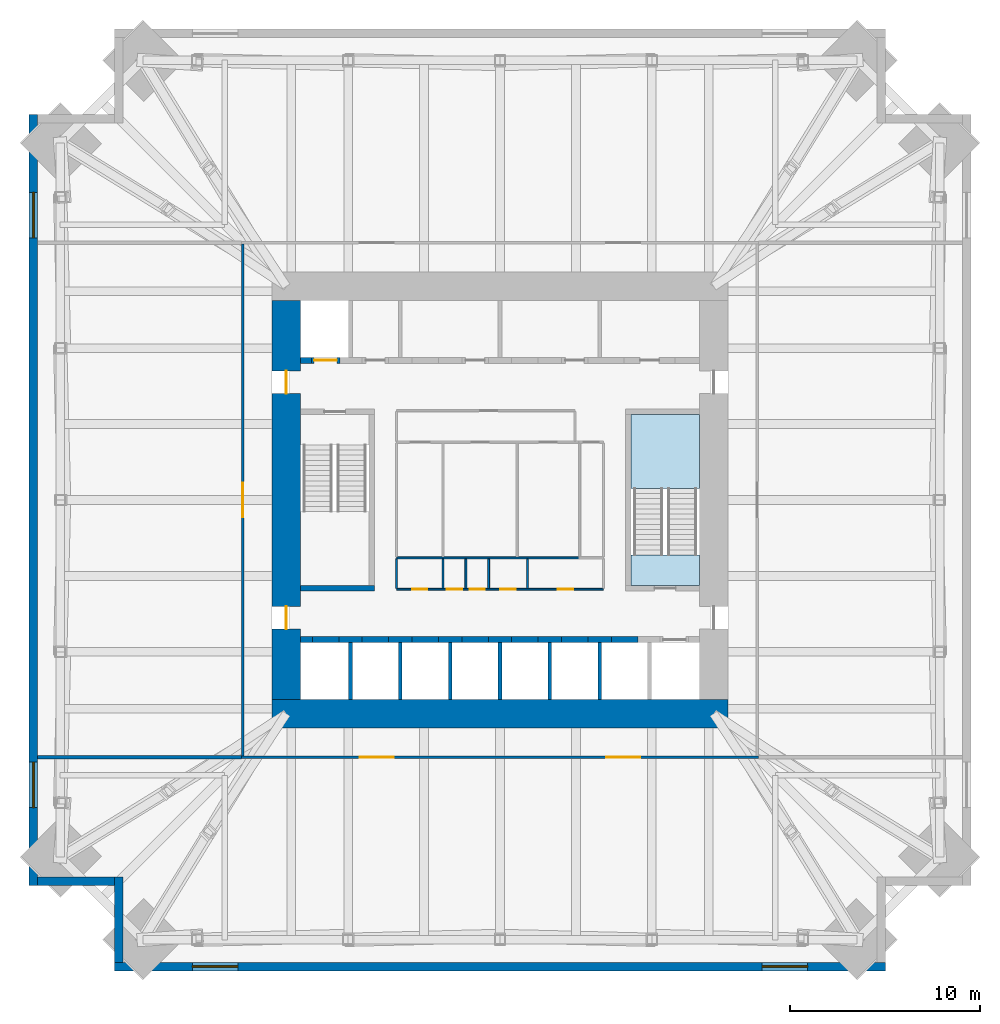
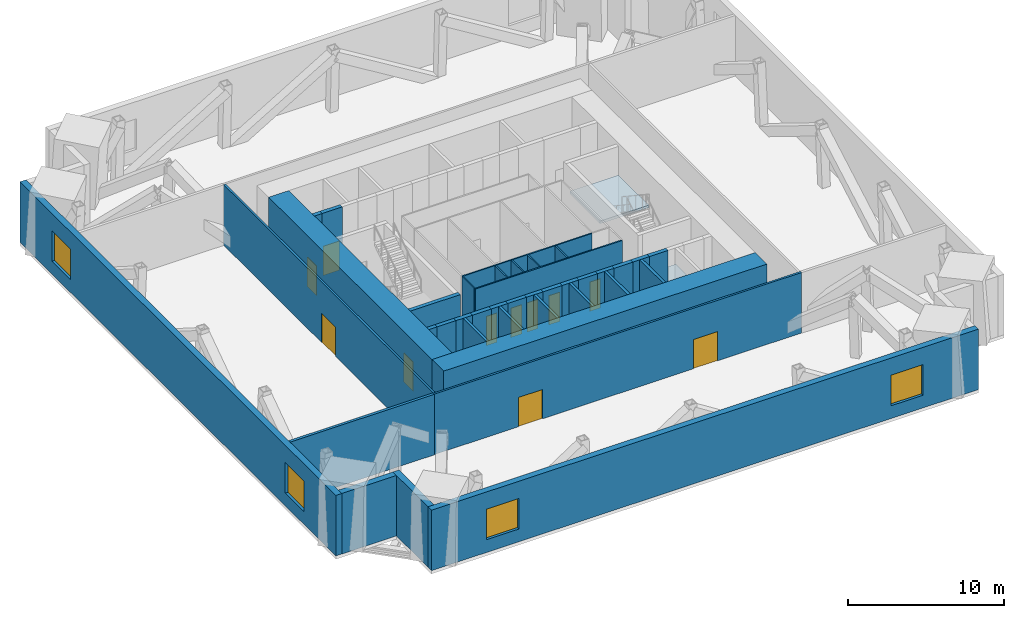
# One storey, part 3 of 6: 39 walls, 11 doors, 4 windows, 2 slabs, 15 openings, 1 element without a shape of its own.
"""IFC4 building model written with IfcOpenShell, lengths in metres."""

import ifcopenshell
import ifcopenshell.guid

model = None  # the IFC model being written
_history = None  # IfcOwnerHistory: only IFC2X3 demands one
_inside = {}  # id of a spatial element -> (the spatial element, [elements in it])
_under = {}  # id of a project, library or spatial element -> (it, [spatial elements below it])
_declared = {}  # id of a project -> (the project, [libraries it declares])
_typed = {}  # id of a type object -> (the type object, [elements of that type])
_made_of = {}  # id of a material, layer set ... -> (it, [elements and type objects made of it])


def new_model(schema):
    """Start an empty IFC model of exactly this schema.

    Asked for "IFC4X3", IfcOpenShell would pick the latest addendum, in which some entities
    have other attributes; the version numbers below select the first issue.
    IFC2X3 requires an IfcOwnerHistory on every rooted entity: one is made here for all.
    """
    global model, _history
    if schema == "IFC4X3":
        model = ifcopenshell.file(schema_version=(4, 3, 0, 0))
    else:
        model = ifcopenshell.file(schema=schema)
    _inside.clear()
    _under.clear()
    _declared.clear()
    _typed.clear()
    _made_of.clear()
    _history = None
    if model.schema == "IFC2X3":
        org = make("IfcOrganization", Name="unknown")
        user = make(
            "IfcPersonAndOrganization",
            ThePerson=make("IfcPerson", FamilyName="unknown"),
            TheOrganization=org,
        )
        app = make(
            "IfcApplication",
            ApplicationDeveloper=org,
            Version="unknown",
            ApplicationFullName="unknown",
            ApplicationIdentifier="unknown",
        )
        _history = make(
            "IfcOwnerHistory",
            OwningUser=user,
            OwningApplication=app,
            ChangeAction="ADDED",
            CreationDate=0,
        )
    return model


def make(cls, **values):
    """One entity of the class cls with the attributes given. An attribute that is None is left unset."""
    return model.create_entity(
        cls, **{name: value for name, value in values.items() if value is not None}
    )


def rooted(cls, **values):
    """An entity with a GlobalId (a new one), such as an element, a storey or a relation."""
    return make(cls, GlobalId=ifcopenshell.guid.new(), OwnerHistory=_history, **values)


def si_unit(unit_type, name, prefix=None):
    """IfcSIUnit, for example si_unit("LENGTHUNIT", "METRE", prefix="MILLI")."""
    return make("IfcSIUnit", UnitType=unit_type, Prefix=prefix, Name=name)


def assignment(units):
    """IfcUnitAssignment: the units of a project."""
    return None if units is None else make("IfcUnitAssignment", Units=units)


def point(xyz):
    """IfcCartesianPoint."""
    return None if xyz is None else make("IfcCartesianPoint", Coordinates=xyz)


def direction(xyz):
    """IfcDirection."""
    return None if xyz is None else make("IfcDirection", DirectionRatios=xyz)


def frame(location, z_axis=None, x_axis=None):
    """IfcAxis2Placement3D, a coordinate frame: its origin and axes. An axis left out is left unset."""
    return make(
        "IfcAxis2Placement3D",
        Location=point(location),
        Axis=direction(z_axis),
        RefDirection=direction(x_axis),
    )


def frame_2d(location, x_axis=None):
    """IfcAxis2Placement2D, a coordinate frame in the plane: its origin and x axis."""
    return make(
        "IfcAxis2Placement2D", Location=point(location), RefDirection=direction(x_axis)
    )


def origin():
    """The frame at (0, 0, 0) with its axes left unset."""
    return frame((0.0, 0.0, 0.0))


def place(relative_to, where):
    """IfcLocalPlacement: puts the frame where relative to a parent placement (None: the world)."""
    return make(
        "IfcLocalPlacement", PlacementRelTo=relative_to, RelativePlacement=where
    )


def context(
    kind, dimensions, precision=None, world=None, true_north=None, identifier=None
):
    """IfcGeometricRepresentationContext, for example the 3D "Model" context."""
    return make(
        "IfcGeometricRepresentationContext",
        ContextIdentifier=identifier,
        ContextType=kind,
        CoordinateSpaceDimension=dimensions,
        Precision=precision,
        WorldCoordinateSystem=world,
        TrueNorth=true_north,
    )


def subcontext(parent, identifier, kind, view, scale=None):
    """IfcGeometricRepresentationSubContext, for example "Body" below "Model"."""
    return make(
        "IfcGeometricRepresentationSubContext",
        ContextIdentifier=identifier,
        ContextType=kind,
        ParentContext=parent,
        TargetScale=scale,
        TargetView=view,
    )


def project(units=None, contexts=None):
    """IfcProject with its units and contexts."""
    return rooted(
        "IfcProject",
        Name="project",
        RepresentationContexts=contexts,
        UnitsInContext=assignment(units),
    )


def spatial(cls, under=None, at=None, **own):
    """A site, building, storey or space (cls), placed at a placement, below another one or the project."""
    s = rooted(cls, ObjectPlacement=at, **own)
    if under is not None:
        _under.setdefault(under.id(), (under, []))[1].append(s)
    return s


def polyline(points):
    """IfcPolyline through the points."""
    return make("IfcPolyline", Points=[point(p) for p in points])


def profile(cls, at=None, kind="AREA", **sizes):
    """A parametric profile (cls). Its sizes go by their IFC names, for example OverallWidth=200.0."""
    return make(cls, ProfileType=kind, Position=at, **sizes)


def rectangle(**sizes):
    """IfcRectangleProfileDef."""
    return profile("IfcRectangleProfileDef", **sizes)


def outline(outer, holes=None, kind="AREA"):
    """IfcArbitraryClosedProfileDef: a profile drawn as a closed curve; with holes, ...WithVoids."""
    if holes is None:
        return make("IfcArbitraryClosedProfileDef", ProfileType=kind, OuterCurve=outer)
    return make(
        "IfcArbitraryProfileDefWithVoids",
        ProfileType=kind,
        OuterCurve=outer,
        InnerCurves=holes,
    )


def extrude(swept, where, along, depth):
    """IfcExtrudedAreaSolid: the profile swept, set in the frame where, extruded along a direction by depth."""
    return make(
        "IfcExtrudedAreaSolid",
        SweptArea=swept,
        Position=where,
        ExtrudedDirection=direction(along),
        Depth=depth,
    )


def shape(context_of_items, identifier, shape_type, items):
    """IfcShapeRepresentation: the items that make up one representation, for example the "Body"."""
    return make(
        "IfcShapeRepresentation",
        ContextOfItems=context_of_items,
        RepresentationIdentifier=identifier,
        RepresentationType=shape_type,
        Items=items,
    )


def material(Name=None, Category=None):
    """IfcMaterial."""
    return make("IfcMaterial", Name=Name, Category=Category)


def layer(
    of_material, thickness, ventilated=None, Name=None, Category=None, Priority=None
):
    """IfcMaterialLayer: one layer of a wall or slab, of a material (None: an air gap)."""
    return make(
        "IfcMaterialLayer",
        Material=of_material,
        LayerThickness=thickness,
        IsVentilated=ventilated,
        Name=Name,
        Category=Category,
        Priority=Priority,
    )


def layer_set(layers, Name=None):
    """IfcMaterialLayerSet."""
    return make("IfcMaterialLayerSet", MaterialLayers=layers, LayerSetName=Name)


def made_of(thing, what):
    """Note that an element or type object is made of a material, layer set ...; save() writes the relation."""
    if what is not None:
        _made_of.setdefault(what.id(), (what, []))[1].append(thing)
    return thing


def type_object(cls, material=None, **own):
    """A type object (cls), such as IfcWallType, which elements share."""
    return made_of(rooted(cls, **own), material)


def element(
    cls,
    number,
    at=None,
    inside=None,
    cuts=None,
    type_object=None,
    material=None,
    context=None,
    identifier="Body",
    shape_type=None,
    held_by="IfcProductDefinitionShape",
    body=None,
    shapes=None,
    **own,
):
    """One element of the class cls, such as IfcWall. Its Tag is "e" and its number.

    at: its placement. inside: the storey or other place that contains it. cuts: it is an
    opening in that element (IfcRelVoidsElement). A single representation is given by context,
    identifier, shape_type and body (its items); several are given by shapes. held_by: the class
    of the entity that holds the representations. save() writes the other relations.
    """
    e = rooted(cls, Tag="e%d" % number, ObjectPlacement=at, **own)
    if body is not None:
        shapes = [shape(context, identifier, shape_type, body)]
    if shapes is not None:
        e.Representation = make(held_by, Representations=shapes)
    if inside is not None:
        _inside.setdefault(inside.id(), (inside, []))[1].append(e)
    if cuts is not None:
        rooted(
            "IfcRelVoidsElement", RelatingBuildingElement=cuts, RelatedOpeningElement=e
        )
    if type_object is not None:
        _typed.setdefault(type_object.id(), (type_object, []))[1].append(e)
    return made_of(e, material)


def fill(opening, filler):
    """IfcRelFillsElement: the door or window that sits in an opening."""
    return rooted(
        "IfcRelFillsElement",
        RelatingOpeningElement=opening,
        RelatedBuildingElement=filler,
    )


def aggregate(whole, parts):
    """IfcRelAggregates: a whole, such as a stair, and the parts it consists of."""
    return rooted("IfcRelAggregates", RelatingObject=whole, RelatedObjects=parts)


def save(model, path):
    """Write the relations noted so far, then the file.

    IfcRelAggregates (storeys below a building ...), IfcRelContainedInSpatialStructure (elements
    in a storey), IfcRelDefinesByType, IfcRelAssociatesMaterial and IfcRelDeclares: one each for
    every whole, place, type object, material and project.
    """
    for whole, parts in _under.values():
        aggregate(whole, parts)
    for where, things in _inside.values():
        rooted(
            "IfcRelContainedInSpatialStructure",
            RelatedElements=things,
            RelatingStructure=where,
        )
    for kind, things in _typed.values():
        rooted("IfcRelDefinesByType", RelatedObjects=things, RelatingType=kind)
    for what, things in _made_of.values():
        rooted("IfcRelAssociatesMaterial", RelatedObjects=things, RelatingMaterial=what)
    for by, libraries in _declared.values():
        rooted("IfcRelDeclares", RelatingContext=by, RelatedDefinitions=libraries)
    model.write(path)


model = new_model("IFC4")

# Units and contexts
model_context = context("Model", 3, precision=1e-05, world=origin(), true_north=direction((0.0, 1.0)))
body_context = subcontext(model_context, "Body", "Model", "MODEL_VIEW")
ifc_project = project(units=[si_unit("LENGTHUNIT", "METRE"), si_unit("AREAUNIT", "SQUARE_METRE"), si_unit("VOLUMEUNIT", "CUBIC_METRE"), si_unit("PLANEANGLEUNIT", "RADIAN"), si_unit("MASSUNIT", "GRAM", prefix="KILO")], contexts=[model_context])

# Site, building, storey
site_placement = place(None, origin())
site = spatial("IfcSite", under=ifc_project, at=site_placement, CompositionType="ELEMENT")
building_placement = place(site_placement, origin())
building = spatial("IfcBuilding", under=site, at=building_placement, Name="Peilmerk Tower", CompositionType="ELEMENT")
storey_placement = place(building_placement, frame((0.0, 0.0, 191.800048828125)))
storey = spatial("IfcBuildingStorey", under=building, at=storey_placement, Name="L41", CompositionType="ELEMENT", Elevation=191.800048828125)

# Stair, slabs
ifc_material_1 = material(Name="Precast concrete C45/55", Category="concrete")
stair_type = type_object("IfcStairType", Name="ST2 28 risers of 178.6", PredefinedType="HALF_TURN_STAIR", material=ifc_material_1)
stair_placement = place(storey_placement, origin())
stair = element("IfcStair", 1, at=stair_placement, inside=storey, type_object=stair_type, Name="Stair 2 L41 to L42", PredefinedType="HALF_TURN_STAIR")
ifc_material_2 = material(Name="Concrete C35/45", Category="concrete")
ifc_layer_1 = layer(ifc_material_2, 0.199951171875)
ifc_layer_set_1 = layer_set([ifc_layer_1], Name="Concrete C35/45")
slab_type_1 = type_object("IfcSlabType", Name="SL1 200 concrete stair landing", PredefinedType="LANDING", material=ifc_layer_set_1)
slab_1_placement = place(storey_placement, frame((0.0, 0.0, 2.300048828125)))
slab_1 = element("IfcSlab", 2, at=slab_1_placement, type_object=slab_type_1, Name="ST2 landing 1", PredefinedType="LANDING", context=body_context, shape_type="SweptSolid", body=[
    extrude(outline(polyline([(6.89990234375, 0.610107421875), (10.5, 0.610107421875), (10.5, 4.5), (6.89990234375, 4.5), (6.89990234375, 0.610107421875)])), origin(), (0.0, 0.0, 1.0), 0.199951171875),
])
ifc_layer_2 = layer(ifc_material_2, 0.25)
ifc_layer_set_2 = layer_set([ifc_layer_2], Name="Concrete C35/45")
slab_type_2 = type_object("IfcSlabType", Name="SL2 250 concrete floor landing", PredefinedType="LANDING", material=ifc_layer_set_2)
slab_2_placement = place(storey_placement, frame((0.0, 0.0, -0.25)))
slab_2 = element("IfcSlab", 3, at=slab_2_placement, type_object=slab_type_2, Name="ST2 floor landing", PredefinedType="LANDING", context=body_context, shape_type="SweptSolid", body=[
    extrude(outline(polyline([(6.89990234375, -4.5), (10.5, -4.5), (10.5, -2.89990234375), (6.89990234375, -2.89990234375), (6.89990234375, -4.5)])), origin(), (0.0, 0.0, 1.0), 0.25),
])
aggregate(stair, [slab_1, slab_2])

# Wall, openings, windows
ifc_material_3 = material(Name="Precast concrete C45/55, board-marked finish", Category="concrete")
ifc_layer_3 = layer(ifc_material_3, 0.449951171875)
ifc_layer_set_3 = layer_set([ifc_layer_3], Name="Precast concrete C45/55, board-marked finish")
wall_type_1 = type_object("IfcWallType", Name="EW1 450 precast concrete facade wall, board-marked", PredefinedType="SOLIDWALL", material=ifc_layer_set_3)
wall_1_placement = place(storey_placement, frame((-20.300048828125, -24.574951171875, 0.0), z_axis=(0.0, 0.0, 1.0), x_axis=(1.0, 0.0, 0.0)))
wall_1 = element("IfcWall", 4, at=wall_1_placement, inside=storey, type_object=wall_type_1, Name="Facade wall S L41", PredefinedType="SOLIDWALL", context=body_context, shape_type="SweptSolid", body=[
    extrude(rectangle(XDim=40.60009765625, YDim=0.449951171875, at=frame_2d((20.300048828125, 0.0))), origin(), (0.0, 0.0, 1.0), 4.75),
])
opening_1_placement = place(wall_1_placement, frame((4.10009765625, 0.0, 1.0)))
opening_1 = element("IfcOpeningElement", 5, at=opening_1_placement, cuts=wall_1, Name="Opening W5", PredefinedType="OPENING", context=body_context, shape_type="SweptSolid", body=[
    extrude(rectangle(XDim=2.39990234375, YDim=2.39990234375, at=frame_2d((1.199951171875, 1.199951171875))), frame((0.0, 0.23486328125, 0.0), z_axis=(0.0, -1.0, 0.0), x_axis=(1.0, 0.0, 0.0)), (0.0, 0.0, 1.0), 0.469970703125),
])
opening_2_placement = place(wall_1_placement, frame((34.10009765625, 0.0, 1.0)))
opening_2 = element("IfcOpeningElement", 6, at=opening_2_placement, cuts=wall_1, Name="Opening W5", PredefinedType="OPENING", context=body_context, shape_type="SweptSolid", body=[
    extrude(rectangle(XDim=2.39990234375, YDim=2.39990234375, at=frame_2d((1.199951171875, 1.199951171875))), frame((0.0, 0.23486328125, 0.0), z_axis=(0.0, -1.0, 0.0), x_axis=(1.0, 0.0, 0.0)), (0.0, 0.0, 1.0), 0.469970703125),
])
ifc_material_4 = material(Name="Aluminium frame, clear double glazing", Category="aluminium")
window_type = type_object("IfcWindowType", Name="W5 2400x2400 plant louvre", PartitioningType="SINGLE_PANEL", PredefinedType="WINDOW", material=ifc_material_4)
window_1_placement = place(opening_1_placement, origin())
window_1 = element("IfcWindow", 7, at=window_1_placement, inside=storey, type_object=window_type, Name="Window W5 L41", OverallHeight=2.39990234375, OverallWidth=2.39990234375, PartitioningType="SINGLE_PANEL", PredefinedType="WINDOW", context=body_context, shape_type="SweptSolid", body=[
    extrude(rectangle(XDim=2.39990234375, YDim=2.39990234375, at=frame_2d((1.199951171875, 1.199951171875))), frame((0.0, 0.030029296875, 0.0), z_axis=(0.0, -1.0, 0.0), x_axis=(1.0, 0.0, 0.0)), (0.0, 0.0, 1.0), 0.06005859375),
])
fill(opening_1, window_1)
window_2_placement = place(opening_2_placement, origin())
window_2 = element("IfcWindow", 8, at=window_2_placement, inside=storey, type_object=window_type, Name="Window W5 L41", OverallHeight=2.39990234375, OverallWidth=2.39990234375, PartitioningType="SINGLE_PANEL", PredefinedType="WINDOW", context=body_context, shape_type="SweptSolid", body=[
    extrude(rectangle(XDim=2.39990234375, YDim=2.39990234375, at=frame_2d((1.199951171875, 1.199951171875))), frame((0.0, 0.030029296875, 0.0), z_axis=(0.0, -1.0, 0.0), x_axis=(1.0, 0.0, 0.0)), (0.0, 0.0, 1.0), 0.06005859375),
])
fill(opening_2, window_2)

wall_2_placement = place(storey_placement, frame((-24.574951171875, 20.300048828125, 0.0), z_axis=(0.0, 0.0, 1.0), x_axis=(0.0, -1.0, 0.0)))
wall_2 = element("IfcWall", 9, at=wall_2_placement, inside=storey, type_object=wall_type_1, Name="Facade wall W L41", PredefinedType="SOLIDWALL", context=body_context, shape_type="SweptSolid", body=[
    extrude(rectangle(XDim=40.60009765625, YDim=0.449951171875, at=frame_2d((20.300048828125, 0.0))), origin(), (0.0, 0.0, 1.0), 4.75),
])
opening_3_placement = place(wall_2_placement, frame((4.10009765625, 0.0, 1.0)))
opening_3 = element("IfcOpeningElement", 10, at=opening_3_placement, cuts=wall_2, Name="Opening W5", PredefinedType="OPENING", context=body_context, shape_type="SweptSolid", body=[
    extrude(rectangle(XDim=2.39990234375, YDim=2.39990234375, at=frame_2d((1.199951171875, 1.199951171875))), frame((0.0, 0.23486328125, 0.0), z_axis=(0.0, -1.0, 0.0), x_axis=(1.0, 0.0, 0.0)), (0.0, 0.0, 1.0), 0.469970703125),
])
opening_4_placement = place(wall_2_placement, frame((34.10009765625, 0.0, 1.0)))
opening_4 = element("IfcOpeningElement", 11, at=opening_4_placement, cuts=wall_2, Name="Opening W5", PredefinedType="OPENING", context=body_context, shape_type="SweptSolid", body=[
    extrude(rectangle(XDim=2.39990234375, YDim=2.39990234375, at=frame_2d((1.199951171875, 1.199951171875))), frame((0.0, 0.23486328125, 0.0), z_axis=(0.0, -1.0, 0.0), x_axis=(1.0, 0.0, 0.0)), (0.0, 0.0, 1.0), 0.469970703125),
])
window_3_placement = place(opening_3_placement, origin())
window_3 = element("IfcWindow", 12, at=window_3_placement, inside=storey, type_object=window_type, Name="Window W5 L41", OverallHeight=2.39990234375, OverallWidth=2.39990234375, PartitioningType="SINGLE_PANEL", PredefinedType="WINDOW", context=body_context, shape_type="SweptSolid", body=[
    extrude(rectangle(XDim=2.39990234375, YDim=2.39990234375, at=frame_2d((1.199951171875, 1.199951171875))), frame((0.0, 0.030029296875, 0.0), z_axis=(0.0, -1.0, 0.0), x_axis=(1.0, 0.0, 0.0)), (0.0, 0.0, 1.0), 0.06005859375),
])
fill(opening_3, window_3)
window_4_placement = place(opening_4_placement, origin())
window_4 = element("IfcWindow", 13, at=window_4_placement, inside=storey, type_object=window_type, Name="Window W5 L41", OverallHeight=2.39990234375, OverallWidth=2.39990234375, PartitioningType="SINGLE_PANEL", PredefinedType="WINDOW", context=body_context, shape_type="SweptSolid", body=[
    extrude(rectangle(XDim=2.39990234375, YDim=2.39990234375, at=frame_2d((1.199951171875, 1.199951171875))), frame((0.0, 0.030029296875, 0.0), z_axis=(0.0, -1.0, 0.0), x_axis=(1.0, 0.0, 0.0)), (0.0, 0.0, 1.0), 0.06005859375),
])
fill(opening_4, window_4)

# Walls
wall_3_placement = place(storey_placement, frame((-20.074951171875, -19.85009765625, 0.0), z_axis=(0.0, 0.0, 1.0), x_axis=(0.0, -1.0, 0.0)))
element("IfcWall", 14, at=wall_3_placement, inside=storey, type_object=wall_type_1, Name="Facade wall SWA L41", PredefinedType="SOLIDWALL", context=body_context, shape_type="SweptSolid", body=[
    extrude(rectangle(XDim=4.5, YDim=0.449951171875, at=frame_2d((2.25, 0.0))), origin(), (0.0, 0.0, 1.0), 4.75),
])
wall_4_placement = place(storey_placement, frame((-20.300048828125, -20.074951171875, 0.0), z_axis=(0.0, 0.0, 1.0), x_axis=(-1.0, 0.0, 0.0)))
element("IfcWall", 15, at=wall_4_placement, inside=storey, type_object=wall_type_1, Name="Facade wall SWB L41", PredefinedType="SOLIDWALL", context=body_context, shape_type="SweptSolid", body=[
    extrude(rectangle(XDim=4.050048828125, YDim=0.449951171875, at=frame_2d((2.02490234375, 0.0))), origin(), (0.0, 0.0, 1.0), 4.75),
])

# Wall, openings, doors
ifc_material_5 = material(Name="Calcium silicate block", Category="masonry")
ifc_layer_4 = layer(ifc_material_5, 0.14990234375)
ifc_layer_set_4 = layer_set([ifc_layer_4], Name="Calcium silicate block")
wall_type_2 = type_object("IfcWallType", Name="IW1 150 corridor partition, EI 60", PredefinedType="PARTITIONING", material=ifc_layer_set_4)
wall_5_placement = place(storey_placement, frame((13.625, -13.550048828125, 0.0), z_axis=(0.0, 0.0, 1.0), x_axis=(-1.0, 0.0, 0.0)))
wall_5 = element("IfcWall", 16, at=wall_5_placement, inside=storey, type_object=wall_type_2, Name="Corridor wall S L41", PredefinedType="PARTITIONING", context=body_context, shape_type="SweptSolid", body=[
    extrude(rectangle(XDim=27.25, YDim=0.14990234375, at=frame_2d((13.625, 0.0))), origin(), (0.0, 0.0, 1.0), 4.75),
])
opening_5_placement = place(wall_5_placement, frame((19.22509765625, 0.0, 0.0)))
opening_5 = element("IfcOpeningElement", 17, at=opening_5_placement, cuts=wall_5, Name="Opening D2", PredefinedType="OPENING", context=body_context, shape_type="SweptSolid", body=[
    extrude(rectangle(XDim=1.800048828125, YDim=2.300048828125, at=frame_2d((0.89990234375, 1.14990234375))), frame((0.0, 0.0849609375, 0.0), z_axis=(0.0, -1.0, 0.0), x_axis=(1.0, 0.0, 0.0)), (0.0, 0.0, 1.0), 0.169921875),
])
opening_6_placement = place(wall_5_placement, frame((6.22509765625, 0.0, 0.0)))
opening_6 = element("IfcOpeningElement", 18, at=opening_6_placement, cuts=wall_5, Name="Opening D2", PredefinedType="OPENING", context=body_context, shape_type="SweptSolid", body=[
    extrude(rectangle(XDim=1.800048828125, YDim=2.300048828125, at=frame_2d((0.89990234375, 1.14990234375))), frame((0.0, 0.0849609375, 0.0), z_axis=(0.0, -1.0, 0.0), x_axis=(1.0, 0.0, 0.0)), (0.0, 0.0, 1.0), 0.169921875),
])
ifc_material_6 = material(Name="Steel door in steel frame", Category="steel")
door_type_1 = type_object("IfcDoorType", Name="D2 1800x2300 double door, EI2 60", OperationType="DOUBLE_DOOR_DOUBLE_SWING", PredefinedType="DOOR", material=ifc_material_6)
door_1_placement = place(opening_5_placement, origin())
door_1 = element("IfcDoor", 19, at=door_1_placement, inside=storey, type_object=door_type_1, Name="Door Plant room L41", OperationType="DOUBLE_DOOR_DOUBLE_SWING", OverallHeight=2.300048828125, OverallWidth=1.800048828125, PredefinedType="DOOR", context=body_context, shape_type="SweptSolid", body=[
    extrude(rectangle(XDim=1.800048828125, YDim=2.300048828125, at=frame_2d((0.89990234375, 1.14990234375))), frame((0.0, 0.02490234375, 0.0), z_axis=(0.0, -1.0, 0.0), x_axis=(1.0, 0.0, 0.0)), (0.0, 0.0, 1.0), 0.050048828125),
])
fill(opening_5, door_1)
door_2_placement = place(opening_6_placement, origin())
door_2 = element("IfcDoor", 20, at=door_2_placement, inside=storey, type_object=door_type_1, Name="Door Plant room L41", OperationType="DOUBLE_DOOR_DOUBLE_SWING", OverallHeight=2.300048828125, OverallWidth=1.800048828125, PredefinedType="DOOR", context=body_context, shape_type="SweptSolid", body=[
    extrude(rectangle(XDim=1.800048828125, YDim=2.300048828125, at=frame_2d((0.89990234375, 1.14990234375))), frame((0.0, 0.02490234375, 0.0), z_axis=(0.0, -1.0, 0.0), x_axis=(1.0, 0.0, 0.0)), (0.0, 0.0, 1.0), 0.050048828125),
])
fill(opening_6, door_2)

# Wall, opening, door
wall_6_placement = place(storey_placement, frame((-13.550048828125, 13.47509765625, 0.0), z_axis=(0.0, 0.0, 1.0), x_axis=(0.0, -1.0, 0.0)))
wall_6 = element("IfcWall", 21, at=wall_6_placement, inside=storey, type_object=wall_type_2, Name="Corridor wall W L41", PredefinedType="PARTITIONING", context=body_context, shape_type="SweptSolid", body=[
    extrude(rectangle(XDim=26.9501953125, YDim=0.14990234375, at=frame_2d((13.47509765625, 0.0))), origin(), (0.0, 0.0, 1.0), 4.75),
])
opening_7_placement = place(wall_6_placement, frame((12.574951171875, 0.0, 0.0)))
opening_7 = element("IfcOpeningElement", 22, at=opening_7_placement, cuts=wall_6, Name="Opening D2", PredefinedType="OPENING", context=body_context, shape_type="SweptSolid", body=[
    extrude(rectangle(XDim=1.800048828125, YDim=2.300048828125, at=frame_2d((0.89990234375, 1.14990234375))), frame((0.0, 0.0849609375, 0.0), z_axis=(0.0, -1.0, 0.0), x_axis=(1.0, 0.0, 0.0)), (0.0, 0.0, 1.0), 0.169921875),
])
door_3_placement = place(opening_7_placement, frame((1.800048828125, 0.0, 0.0), z_axis=(0.0, 0.0, 1.0), x_axis=(-1.0, 0.0, 0.0)))
door_3 = element("IfcDoor", 23, at=door_3_placement, inside=storey, type_object=door_type_1, Name="Door Plant room L41", OperationType="DOUBLE_DOOR_DOUBLE_SWING", OverallHeight=2.300048828125, OverallWidth=1.800048828125, PredefinedType="DOOR", context=body_context, shape_type="SweptSolid", body=[
    extrude(rectangle(XDim=1.800048828125, YDim=2.300048828125, at=frame_2d((0.89990234375, 1.14990234375))), frame((0.0, 0.02490234375, 0.0), z_axis=(0.0, -1.0, 0.0), x_axis=(1.0, 0.0, 0.0)), (0.0, 0.0, 1.0), 0.050048828125),
])
fill(opening_7, door_3)

# Walls
ifc_layer_5 = layer(ifc_material_5, 0.199951171875)
ifc_layer_set_5 = layer_set([ifc_layer_5], Name="Calcium silicate block")
wall_type_3 = type_object("IfcWallType", Name="IW2 200 room separating wall, EI 120", PredefinedType="PARTITIONING", material=ifc_layer_set_5)
wall_7_placement = place(storey_placement, frame((-13.625, -13.550048828125, 0.0), z_axis=(0.0, 0.0, 1.0), x_axis=(-1.0, 0.0, 0.0)))
element("IfcWall", 24, at=wall_7_placement, inside=storey, type_object=wall_type_3, Name="Room separating wall SW L41", PredefinedType="PARTITIONING", context=body_context, shape_type="SweptSolid", body=[
    extrude(rectangle(XDim=10.72509765625, YDim=0.199951171875, at=frame_2d((5.362548828125, 0.0))), origin(), (0.0, 0.0, 1.0), 4.75),
])
ifc_layer_6 = layer(ifc_material_2, 0.300048828125)
ifc_layer_set_6 = layer_set([ifc_layer_6], Name="Concrete C35/45")
wall_type_4 = type_object("IfcWallType", Name="IW3 300 concrete stair enclosure wall, EI 120", PredefinedType="SOLIDWALL", material=ifc_layer_set_6)
wall_8_placement = place(storey_placement, frame((-6.60009765625, -4.64990234375, 0.0), z_axis=(0.0, 0.0, 1.0), x_axis=(-1.0, 0.0, 0.0)))
element("IfcWall", 25, at=wall_8_placement, inside=storey, type_object=wall_type_4, Name="Stair 1 enclosure L41", PredefinedType="SOLIDWALL", context=body_context, shape_type="SweptSolid", body=[
    extrude(rectangle(XDim=3.89990234375, YDim=0.300048828125, at=frame_2d((1.949951171875, 0.0))), origin(), (0.0, 0.0, 1.0), 4.75),
])
ifc_material_7 = material(Name="Plasterboard on steel studs", Category="steel")
ifc_layer_7 = layer(ifc_material_7, 0.10009765625)
ifc_layer_set_7 = layer_set([ifc_layer_7], Name="Plasterboard on steel studs")
wall_type_5 = type_object("IfcWallType", Name="IW4 100 WC partition", PredefinedType="PARTITIONING", material=ifc_layer_set_7)
wall_9_placement = place(storey_placement, frame((4.14990234375, -3.050048828125, 0.0), z_axis=(0.0, 0.0, 1.0), x_axis=(-1.0, 0.0, 0.0)))
element("IfcWall", 26, at=wall_9_placement, inside=storey, type_object=wall_type_5, Name="WC wall L41", PredefinedType="PARTITIONING", context=body_context, shape_type="SweptSolid", body=[
    extrude(rectangle(XDim=9.599853515625, YDim=0.10009765625, at=frame_2d((4.7998046875, 0.0))), origin(), (0.0, 0.0, 1.0), 4.75),
])

# Wall, openings, doors
ifc_material_8 = material(Name="Calcium silicate board on steel studs", Category="steel")
ifc_layer_8 = layer(ifc_material_8, 0.10009765625)
ifc_layer_set_8 = layer_set([ifc_layer_8], Name="Calcium silicate board on steel studs")
wall_type_6 = type_object("IfcWallType", Name="IW5 100 riser enclosure wall, EI 60", PredefinedType="PARTITIONING", material=ifc_layer_set_8)
wall_10_placement = place(storey_placement, frame((5.449951171875, -4.699951171875, 0.0), z_axis=(0.0, 0.0, 1.0), x_axis=(-1.0, 0.0, 0.0)))
wall_10 = element("IfcWall", 27, at=wall_10_placement, inside=storey, type_object=wall_type_6, Name="Riser wall L41", PredefinedType="PARTITIONING", context=body_context, shape_type="SweptSolid", body=[
    extrude(rectangle(XDim=10.89990234375, YDim=0.10009765625, at=frame_2d((5.449951171875, 0.0))), origin(), (0.0, 0.0, 1.0), 4.75),
])
opening_8_placement = place(wall_10_placement, frame((9.27490234375, 0.0, 0.0)))
opening_8 = element("IfcOpeningElement", 28, at=opening_8_placement, cuts=wall_10, Name="Opening D7", PredefinedType="OPENING", context=body_context, shape_type="SweptSolid", body=[
    extrude(rectangle(XDim=0.800048828125, YDim=2.300048828125, at=frame_2d((0.39990234375, 1.14990234375))), frame((0.0, 0.06005859375, 0.0), z_axis=(0.0, -1.0, 0.0), x_axis=(1.0, 0.0, 0.0)), (0.0, 0.0, 1.0), 0.1201171875),
])
opening_9_placement = place(wall_10_placement, frame((7.449951171875, 0.0, 0.0)))
opening_9 = element("IfcOpeningElement", 29, at=opening_9_placement, cuts=wall_10, Name="Opening D7", PredefinedType="OPENING", context=body_context, shape_type="SweptSolid", body=[
    extrude(rectangle(XDim=0.800048828125, YDim=2.300048828125, at=frame_2d((0.39990234375, 1.14990234375))), frame((0.0, 0.06005859375, 0.0), z_axis=(0.0, -1.0, 0.0), x_axis=(1.0, 0.0, 0.0)), (0.0, 0.0, 1.0), 0.1201171875),
])
opening_10_placement = place(wall_10_placement, frame((6.25, 0.0, 0.0)))
opening_10 = element("IfcOpeningElement", 30, at=opening_10_placement, cuts=wall_10, Name="Opening D7", PredefinedType="OPENING", context=body_context, shape_type="SweptSolid", body=[
    extrude(rectangle(XDim=0.800048828125, YDim=2.300048828125, at=frame_2d((0.39990234375, 1.14990234375))), frame((0.0, 0.06005859375, 0.0), z_axis=(0.0, -1.0, 0.0), x_axis=(1.0, 0.0, 0.0)), (0.0, 0.0, 1.0), 0.1201171875),
])
opening_11_placement = place(wall_10_placement, frame((4.625, 0.0, 0.0)))
opening_11 = element("IfcOpeningElement", 31, at=opening_11_placement, cuts=wall_10, Name="Opening D7", PredefinedType="OPENING", context=body_context, shape_type="SweptSolid", body=[
    extrude(rectangle(XDim=0.800048828125, YDim=2.300048828125, at=frame_2d((0.39990234375, 1.14990234375))), frame((0.0, 0.06005859375, 0.0), z_axis=(0.0, -1.0, 0.0), x_axis=(1.0, 0.0, 0.0)), (0.0, 0.0, 1.0), 0.1201171875),
])
opening_12_placement = place(wall_10_placement, frame((1.60009765625, 0.0, 0.0)))
opening_12 = element("IfcOpeningElement", 32, at=opening_12_placement, cuts=wall_10, Name="Opening D7", PredefinedType="OPENING", context=body_context, shape_type="SweptSolid", body=[
    extrude(rectangle(XDim=0.800048828125, YDim=2.300048828125, at=frame_2d((0.39990234375, 1.14990234375))), frame((0.0, 0.06005859375, 0.0), z_axis=(0.0, -1.0, 0.0), x_axis=(1.0, 0.0, 0.0)), (0.0, 0.0, 1.0), 0.1201171875),
])
door_type_2 = type_object("IfcDoorType", Name="D7 800x2300 riser access door, EI2 60", OperationType="SINGLE_SWING_RIGHT", PredefinedType="DOOR", material=ifc_material_6)
door_4_placement = place(opening_8_placement, frame((0.800048828125, 0.0, 0.0), z_axis=(0.0, 0.0, 1.0), x_axis=(-1.0, 0.0, 0.0)))
door_4 = element("IfcDoor", 33, at=door_4_placement, inside=storey, type_object=door_type_2, Name="Cleaner's cupboard door L41", OperationType="SINGLE_SWING_RIGHT", OverallHeight=2.300048828125, OverallWidth=0.800048828125, PredefinedType="DOOR", context=body_context, shape_type="SweptSolid", body=[
    extrude(rectangle(XDim=0.800048828125, YDim=2.300048828125, at=frame_2d((0.39990234375, 1.14990234375))), frame((0.0, 0.02490234375, 0.0), z_axis=(0.0, -1.0, 0.0), x_axis=(1.0, 0.0, 0.0)), (0.0, 0.0, 1.0), 0.050048828125),
])
fill(opening_8, door_4)
door_5_placement = place(opening_9_placement, frame((0.800048828125, 0.0, 0.0), z_axis=(0.0, 0.0, 1.0), x_axis=(-1.0, 0.0, 0.0)))
door_5 = element("IfcDoor", 34, at=door_5_placement, inside=storey, type_object=door_type_2, Name="Electrical riser door L41", OperationType="SINGLE_SWING_RIGHT", OverallHeight=2.300048828125, OverallWidth=0.800048828125, PredefinedType="DOOR", context=body_context, shape_type="SweptSolid", body=[
    extrude(rectangle(XDim=0.800048828125, YDim=2.300048828125, at=frame_2d((0.39990234375, 1.14990234375))), frame((0.0, 0.02490234375, 0.0), z_axis=(0.0, -1.0, 0.0), x_axis=(1.0, 0.0, 0.0)), (0.0, 0.0, 1.0), 0.050048828125),
])
fill(opening_9, door_5)
door_6_placement = place(opening_10_placement, frame((0.800048828125, 0.0, 0.0), z_axis=(0.0, 0.0, 1.0), x_axis=(-1.0, 0.0, 0.0)))
door_6 = element("IfcDoor", 35, at=door_6_placement, inside=storey, type_object=door_type_2, Name="Data riser door L41", OperationType="SINGLE_SWING_RIGHT", OverallHeight=2.300048828125, OverallWidth=0.800048828125, PredefinedType="DOOR", context=body_context, shape_type="SweptSolid", body=[
    extrude(rectangle(XDim=0.800048828125, YDim=2.300048828125, at=frame_2d((0.39990234375, 1.14990234375))), frame((0.0, 0.02490234375, 0.0), z_axis=(0.0, -1.0, 0.0), x_axis=(1.0, 0.0, 0.0)), (0.0, 0.0, 1.0), 0.050048828125),
])
fill(opening_10, door_6)
door_7_placement = place(opening_11_placement, frame((0.800048828125, 0.0, 0.0), z_axis=(0.0, 0.0, 1.0), x_axis=(-1.0, 0.0, 0.0)))
door_7 = element("IfcDoor", 36, at=door_7_placement, inside=storey, type_object=door_type_2, Name="Electrical room door L41", OperationType="SINGLE_SWING_RIGHT", OverallHeight=2.300048828125, OverallWidth=0.800048828125, PredefinedType="DOOR", context=body_context, shape_type="SweptSolid", body=[
    extrude(rectangle(XDim=0.800048828125, YDim=2.300048828125, at=frame_2d((0.39990234375, 1.14990234375))), frame((0.0, 0.02490234375, 0.0), z_axis=(0.0, -1.0, 0.0), x_axis=(1.0, 0.0, 0.0)), (0.0, 0.0, 1.0), 0.050048828125),
])
fill(opening_11, door_7)
door_8_placement = place(opening_12_placement, frame((0.800048828125, 0.0, 0.0), z_axis=(0.0, 0.0, 1.0), x_axis=(-1.0, 0.0, 0.0)))
door_8 = element("IfcDoor", 37, at=door_8_placement, inside=storey, type_object=door_type_2, Name="Comms room door L41", OperationType="SINGLE_SWING_RIGHT", OverallHeight=2.300048828125, OverallWidth=0.800048828125, PredefinedType="DOOR", context=body_context, shape_type="SweptSolid", body=[
    extrude(rectangle(XDim=0.800048828125, YDim=2.300048828125, at=frame_2d((0.39990234375, 1.14990234375))), frame((0.0, 0.02490234375, 0.0), z_axis=(0.0, -1.0, 0.0), x_axis=(1.0, 0.0, 0.0)), (0.0, 0.0, 1.0), 0.050048828125),
])
fill(opening_12, door_8)

# Walls
for number, where, z_axis, x_axis, name in (
    (38, (-5.449951171875, -3.10009765625, 0.0), (0.0, 0.0, 1.0), (0.0, -1.0, 0.0), "Riser wall L41"),
    (39, (-3.0, -3.10009765625, 0.0), (0.0, 0.0, 1.0), (0.0, -1.0, 0.0), "Riser wall L41"),
    (40, (-1.800048828125, -3.10009765625, 0.0), (0.0, 0.0, 1.0), (0.0, -1.0, 0.0), "Riser wall L41"),
    (41, (-0.60009765625, -3.10009765625, 0.0), (0.0, 0.0, 1.0), (0.0, -1.0, 0.0), "Riser wall L41"),
    (42, (1.449951171875, -3.10009765625, 0.0), (0.0, 0.0, 1.0), (0.0, -1.0, 0.0), "Riser wall L41"),
):
    element("IfcWall", number, at=place(storey_placement, frame(where, z_axis=z_axis, x_axis=x_axis)), inside=storey, type_object=wall_type_6, Name=name, PredefinedType="PARTITIONING", context=body_context, shape_type="SweptSolid", body=[
        extrude(rectangle(XDim=1.5498046875, YDim=0.10009765625, at=frame_2d((0.77490234375, 0.0))), origin(), (0.0, 0.0, 1.0), 4.75),
    ])
ifc_layer_9 = layer(ifc_material_5, 0.199951171875)
ifc_layer_set_9 = layer_set([ifc_layer_9], Name="Calcium silicate block")
wall_type_7 = type_object("IfcWallType", Name="SH1 200 shaft dividing wall, EI 120", PredefinedType="PARTITIONING", material=ifc_layer_set_9)
for number, where, z_axis, x_axis, name in (
    (43, (-7.875, -10.5, 0.0), (0.0, 0.0, 1.0), (0.0, 1.0, 0.0), "Shaft wall S C4 L41"),
    (44, (-5.25, -10.5, 0.0), (0.0, 0.0, 1.0), (0.0, 1.0, 0.0), "Shaft wall S C3 L41"),
    (45, (-2.625, -10.5, 0.0), (0.0, 0.0, 1.0), (0.0, 1.0, 0.0), "Shaft wall S C2 L41"),
    (46, (0.0, -10.5, 0.0), (0.0, 0.0, 1.0), (0.0, 1.0, 0.0), "Shaft wall S C1 L41"),
    (47, (2.625, -10.5, 0.0), (0.0, 0.0, 1.0), (0.0, 1.0, 0.0), "Shaft wall S B3 L41"),
    (48, (5.25, -10.5, 0.0), (0.0, 0.0, 1.0), (0.0, 1.0, 0.0), "Shaft wall S B2 L41"),
):
    element("IfcWall", number, at=place(storey_placement, frame(where, z_axis=z_axis, x_axis=x_axis)), inside=storey, type_object=wall_type_7, Name=name, PredefinedType="PARTITIONING", context=body_context, shape_type="SweptSolid", body=[
        extrude(rectangle(XDim=3.0, YDim=0.199951171875, at=frame_2d((1.5, 0.0))), origin(), (0.0, 0.0, 1.0), 5.0),
    ])

# Wall, opening, door
ifc_layer_10 = layer(ifc_material_5, 0.300048828125)
ifc_layer_set_10 = layer_set([ifc_layer_10], Name="Calcium silicate block")
wall_type_8 = type_object("IfcWallType", Name="SH2 300 lift landing door panel, EI 120", PredefinedType="PARTITIONING", material=ifc_layer_set_10)
wall_11_placement = place(storey_placement, frame((-9.9375, 7.35009765625, 0.0), z_axis=(0.0, 0.0, 1.0), x_axis=(1.0, 0.0, 0.0)))
wall_11 = element("IfcWall", 49, at=wall_11_placement, inside=storey, type_object=wall_type_8, Name="Lift door panel N FL1 L41", PredefinedType="PARTITIONING", context=body_context, shape_type="SweptSolid", body=[
    extrude(rectangle(XDim=1.5, YDim=0.300048828125, at=frame_2d((0.75, 0.0))), origin(), (0.0, 0.0, 1.0), 5.0),
])
opening_13_placement = place(wall_11_placement, frame((0.14990234375, 0.0, 0.0)))
opening_13 = element("IfcOpeningElement", 50, at=opening_13_placement, cuts=wall_11, Name="Opening LD2", PredefinedType="OPENING", context=body_context, shape_type="SweptSolid", body=[
    extrude(rectangle(XDim=1.199951171875, YDim=2.300048828125, at=frame_2d((0.60009765625, 1.14990234375))), frame((0.0, 0.159912109375, 0.0), z_axis=(0.0, -1.0, 0.0), x_axis=(1.0, 0.0, 0.0)), (0.0, 0.0, 1.0), 0.320068359375),
])
ifc_material_9 = material(Name="Stainless steel landing door", Category="steel")
door_type_3 = type_object("IfcDoorType", Name="LD2 1200x2300 lift landing door, sliding, EI2 60", OperationType="SLIDING_TO_LEFT", PredefinedType="DOOR", material=ifc_material_9)
door_9_placement = place(opening_13_placement, frame((1.199951171875, 0.0, 0.0), z_axis=(0.0, 0.0, 1.0), x_axis=(-1.0, 0.0, 0.0)))
door_9 = element("IfcDoor", 51, at=door_9_placement, inside=storey, type_object=door_type_3, Name="Lift landing door FL1 L41", OperationType="SLIDING_TO_LEFT", OverallHeight=2.300048828125, OverallWidth=1.199951171875, PredefinedType="DOOR", context=body_context, shape_type="SweptSolid", body=[
    extrude(rectangle(XDim=1.199951171875, YDim=2.300048828125, at=frame_2d((0.60009765625, 1.14990234375))), frame((0.0, 0.02490234375, 0.0), z_axis=(0.0, -1.0, 0.0), x_axis=(1.0, 0.0, 0.0)), (0.0, 0.0, 1.0), 0.050048828125),
])
fill(opening_13, door_9)

# Walls
for number, where, z_axis, x_axis, name in (
    (52, (-9.887451171875, -7.35009765625, 0.0), (0.0, 0.0, 1.0), (1.0, 0.0, 0.0), "Lift door panel S C4 L41"),
    (53, (-7.262451171875, -7.35009765625, 0.0), (0.0, 0.0, 1.0), (1.0, 0.0, 0.0), "Lift door panel S C3 L41"),
    (54, (-4.637451171875, -7.35009765625, 0.0), (0.0, 0.0, 1.0), (1.0, 0.0, 0.0), "Lift door panel S C2 L41"),
    (55, (-2.012451171875, -7.35009765625, 0.0), (0.0, 0.0, 1.0), (1.0, 0.0, 0.0), "Lift door panel S C1 L41"),
    (56, (0.612548828125, -7.35009765625, 0.0), (0.0, 0.0, 1.0), (1.0, 0.0, 0.0), "Lift door panel S B3 L41"),
    (57, (3.237548828125, -7.35009765625, 0.0), (0.0, 0.0, 1.0), (1.0, 0.0, 0.0), "Lift door panel S B2 L41"),
    (58, (5.862548828125, -7.35009765625, 0.0), (0.0, 0.0, 1.0), (1.0, 0.0, 0.0), "Lift door panel S B1 L41"),
):
    element("IfcWall", number, at=place(storey_placement, frame(where, z_axis=z_axis, x_axis=x_axis)), inside=storey, type_object=wall_type_8, Name=name, PredefinedType="PARTITIONING", context=body_context, shape_type="SweptSolid", body=[
        extrude(rectangle(XDim=1.39990234375, YDim=0.300048828125, at=frame_2d((0.699951171875, 0.0))), origin(), (0.0, 0.0, 1.0), 5.0),
    ])
ifc_material_10 = material(Name="Concrete C55/67", Category="concrete")
ifc_layer_11 = layer(ifc_material_10, 1.5)
ifc_layer_set_11 = layer_set([ifc_layer_11], Name="Concrete C55/67")
wall_type_9 = type_object("IfcWallType", Name="SW1 1500 core wall", PredefinedType="SHEAR", material=ifc_layer_set_11)
wall_12_placement = place(storey_placement, frame((12.0, -11.25, 0.0), z_axis=(0.0, 0.0, 1.0), x_axis=(-1.0, 0.0, 0.0)))
element("IfcWall", 59, at=wall_12_placement, inside=storey, type_object=wall_type_9, Name="Core wall S L41", PredefinedType="SHEAR", context=body_context, shape_type="SweptSolid", body=[
    extrude(rectangle(XDim=24.0, YDim=1.5, at=frame_2d((12.0, 0.0))), origin(), (0.0, 0.0, 1.0), 5.0),
])

# Wall, openings, doors
wall_13_placement = place(storey_placement, frame((-11.25, -10.5, 0.0), z_axis=(0.0, 0.0, 1.0), x_axis=(0.0, 1.0, 0.0)))
wall_13 = element("IfcWall", 60, at=wall_13_placement, inside=storey, type_object=wall_type_9, Name="Core wall W L41", PredefinedType="SHEAR", context=body_context, shape_type="SweptSolid", body=[
    extrude(rectangle(XDim=21.0, YDim=1.5, at=frame_2d((10.5, 0.0))), origin(), (0.0, 0.0, 1.0), 5.0),
])
opening_14_placement = place(wall_13_placement, frame((16.10009765625, 0.0, 0.0)))
opening_14 = element("IfcOpeningElement", 61, at=opening_14_placement, cuts=wall_13, Name="Opening D3", PredefinedType="OPENING", context=body_context, shape_type="SweptSolid", body=[
    extrude(rectangle(XDim=1.199951171875, YDim=2.300048828125, at=frame_2d((0.60009765625, 1.14990234375))), frame((0.0, 0.760009765625, 0.0), z_axis=(0.0, -1.0, 0.0), x_axis=(1.0, 0.0, 0.0)), (0.0, 0.0, 1.0), 1.52001953125),
])
opening_15_placement = place(wall_13_placement, frame((3.699951171875, 0.0, 0.0)))
opening_15 = element("IfcOpeningElement", 62, at=opening_15_placement, cuts=wall_13, Name="Opening D3", PredefinedType="OPENING", context=body_context, shape_type="SweptSolid", body=[
    extrude(rectangle(XDim=1.199951171875, YDim=2.300048828125, at=frame_2d((0.60009765625, 1.14990234375))), frame((0.0, 0.760009765625, 0.0), z_axis=(0.0, -1.0, 0.0), x_axis=(1.0, 0.0, 0.0)), (0.0, 0.0, 1.0), 1.52001953125),
])
door_type_4 = type_object("IfcDoorType", Name="D3 1200x2300 core door, EI2 60", OperationType="SINGLE_SWING_LEFT", PredefinedType="DOOR", material=ifc_material_6)
door_10_placement = place(opening_14_placement, frame((1.199951171875, 0.0, 0.0), z_axis=(0.0, 0.0, 1.0), x_axis=(-1.0, 0.0, 0.0)))
door_10 = element("IfcDoor", 63, at=door_10_placement, inside=storey, type_object=door_type_4, Name="Core door L41", OperationType="SINGLE_SWING_LEFT", OverallHeight=2.300048828125, OverallWidth=1.199951171875, PredefinedType="DOOR", context=body_context, shape_type="SweptSolid", body=[
    extrude(rectangle(XDim=1.199951171875, YDim=2.300048828125, at=frame_2d((0.60009765625, 1.14990234375))), frame((0.0, 0.02490234375, 0.0), z_axis=(0.0, -1.0, 0.0), x_axis=(1.0, 0.0, 0.0)), (0.0, 0.0, 1.0), 0.050048828125),
])
fill(opening_14, door_10)
door_11_placement = place(opening_15_placement, frame((1.199951171875, 0.0, 0.0), z_axis=(0.0, 0.0, 1.0), x_axis=(-1.0, 0.0, 0.0)))
door_11 = element("IfcDoor", 64, at=door_11_placement, inside=storey, type_object=door_type_4, Name="Core door L41", OperationType="SINGLE_SWING_LEFT", OverallHeight=2.300048828125, OverallWidth=1.199951171875, PredefinedType="DOOR", context=body_context, shape_type="SweptSolid", body=[
    extrude(rectangle(XDim=1.199951171875, YDim=2.300048828125, at=frame_2d((0.60009765625, 1.14990234375))), frame((0.0, 0.02490234375, 0.0), z_axis=(0.0, -1.0, 0.0), x_axis=(1.0, 0.0, 0.0)), (0.0, 0.0, 1.0), 0.050048828125),
])
fill(opening_15, door_11)

# Walls
ifc_layer_12 = layer(ifc_material_10, 0.300048828125)
ifc_layer_set_12 = layer_set([ifc_layer_12], Name="Concrete C55/67")
wall_type_10 = type_object("IfcWallType", Name="SW2 300 lift bank pier", PredefinedType="SHEAR", material=ifc_layer_set_12)
wall_14_placement = place(storey_placement, frame((-10.5, 7.35009765625, 0.0), z_axis=(0.0, 0.0, 1.0), x_axis=(1.0, 0.0, 0.0)))
element("IfcWall", 65, at=wall_14_placement, inside=storey, type_object=wall_type_10, Name="Lift bank pier N L41", PredefinedType="SHEAR", context=body_context, shape_type="SweptSolid", body=[
    extrude(rectangle(XDim=0.5625, YDim=0.300048828125, at=frame_2d((0.28125, 0.0))), origin(), (0.0, 0.0, 1.0), 5.0),
])
wall_15_placement = place(storey_placement, frame((-10.5, -7.35009765625, 0.0), z_axis=(0.0, 0.0, 1.0), x_axis=(1.0, 0.0, 0.0)))
element("IfcWall", 66, at=wall_15_placement, inside=storey, type_object=wall_type_10, Name="Lift bank pier S L41", PredefinedType="SHEAR", context=body_context, shape_type="SweptSolid", body=[
    extrude(rectangle(XDim=0.612548828125, YDim=0.300048828125, at=frame_2d((0.30615234375, 0.0))), origin(), (0.0, 0.0, 1.0), 5.0),
])
for number, where, z_axis, x_axis, name in (
    (67, (-8.487548828125, -7.35009765625, 0.0), (0.0, 0.0, 1.0), (1.0, 0.0, 0.0), "Lift bank pier S L41"),
    (68, (-5.862548828125, -7.35009765625, 0.0), (0.0, 0.0, 1.0), (1.0, 0.0, 0.0), "Lift bank pier S L41"),
    (69, (-3.237548828125, -7.35009765625, 0.0), (0.0, 0.0, 1.0), (1.0, 0.0, 0.0), "Lift bank pier S L41"),
    (70, (-0.612548828125, -7.35009765625, 0.0), (0.0, 0.0, 1.0), (1.0, 0.0, 0.0), "Lift bank pier S L41"),
    (71, (2.012451171875, -7.35009765625, 0.0), (0.0, 0.0, 1.0), (1.0, 0.0, 0.0), "Lift bank pier S L41"),
    (72, (4.637451171875, -7.35009765625, 0.0), (0.0, 0.0, 1.0), (1.0, 0.0, 0.0), "Lift bank pier S L41"),
):
    element("IfcWall", number, at=place(storey_placement, frame(where, z_axis=z_axis, x_axis=x_axis)), inside=storey, type_object=wall_type_10, Name=name, PredefinedType="SHEAR", context=body_context, shape_type="SweptSolid", body=[
        extrude(rectangle(XDim=1.22509765625, YDim=0.300048828125, at=frame_2d((0.612548828125, 0.0))), origin(), (0.0, 0.0, 1.0), 5.0),
    ])

save(model, "model.ifc")
